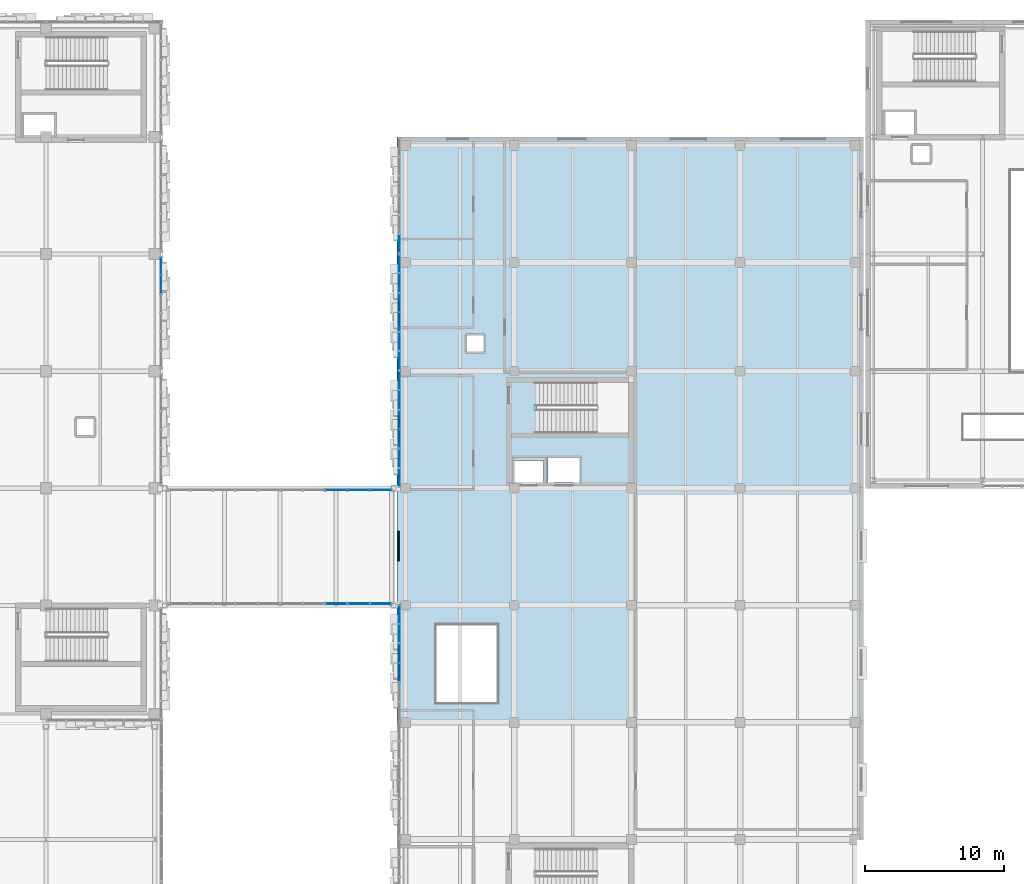
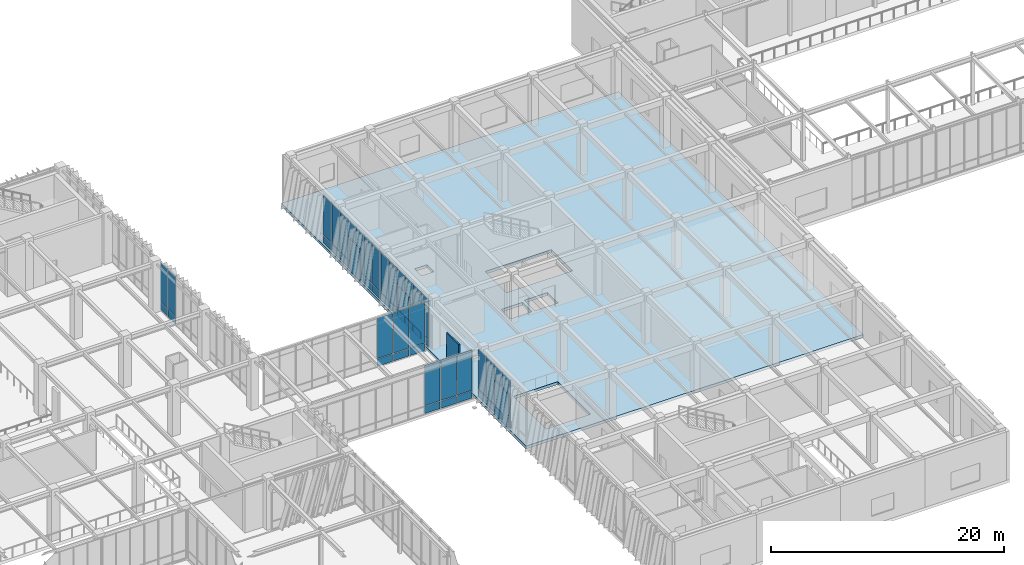
# One storey, part 96 of 139: 54 plates, 1 slab, 7 elements without a shape of their own.
"""IFC4 building model written with IfcOpenShell, lengths in metres."""

from ifc_helpers import new_model, si_unit, direction, frame, origin, origin_2d, place, context, subcontext, project, spatial, polyline, rectangle, outline, extrude, material, layer, layer_set, type_object, element, aggregate, save


model = new_model("IFC4")

# Units and contexts
model_context = context("Model", 3, precision=1e-05, world=origin(), true_north=direction((0.0, 1.0)))
body_context = subcontext(model_context, "Body", "Model", "MODEL_VIEW")
ifc_project = project(units=[si_unit("LENGTHUNIT", "METRE"), si_unit("AREAUNIT", "SQUARE_METRE"), si_unit("VOLUMEUNIT", "CUBIC_METRE"), si_unit("PLANEANGLEUNIT", "RADIAN"), si_unit("MASSUNIT", "GRAM", prefix="KILO")], contexts=[model_context])

# Site, building, storey
site_placement = place(None, origin())
site = spatial("IfcSite", under=ifc_project, at=site_placement, CompositionType="ELEMENT")
building_placement = place(site_placement, origin())
building = spatial("IfcBuilding", under=site, at=building_placement, Name="Zayran Congress Hotel", CompositionType="ELEMENT")
storey_placement = place(building_placement, frame((0.0, 0.0, 5.39990234375)))
storey = spatial("IfcBuildingStorey", under=building, at=storey_placement, Name="L01", CompositionType="ELEMENT", Elevation=5.39990234375)

# Slab
ifc_material_1 = material(Name="Concrete C32/40", Category="concrete")
ifc_layer_1 = layer(ifc_material_1, 0.300048828125)
ifc_layer_set_1 = layer_set([ifc_layer_1], Name="Concrete C32/40")
slab_type = type_object("IfcSlabType", Name="SL-FL-300", PredefinedType="FLOOR", material=ifc_layer_set_1)
slab_placement = place(storey_placement, frame((0.0, 0.0, -0.2998046875)))
element("IfcSlab", 1, at=slab_placement, inside=storey, type_object=slab_type, Name="SLB-V4-L01-020", PredefinedType="FLOOR", context=body_context, shape_type="SweptSolid", body=[
    extrude(outline(polyline([(109.199951171875, 67.60009765625), (142.64990234375, 67.60009765625), (142.64990234375, 109.60009765625), (109.199951171875, 109.60009765625), (109.199951171875, 67.60009765625)]), holes=[polyline([(119.239990234375, 88.360107421875), (125.800048828125, 88.360107421875), (125.800048828125, 92.0), (119.239990234375, 92.0), (119.239990234375, 88.360107421875)]), polyline([(117.60009765625, 84.800048828125), (119.699951171875, 84.800048828125), (119.699951171875, 86.39990234375), (117.60009765625, 86.39990234375), (117.60009765625, 84.800048828125)]), polyline([(120.0, 84.800048828125), (122.300048828125, 84.800048828125), (122.300048828125, 86.60009765625), (120.0, 86.60009765625), (120.0, 84.800048828125)]), polyline([(112.0, 69.0), (116.39990234375, 69.0), (116.39990234375, 74.60009765625), (112.0, 74.60009765625), (112.0, 69.0)]), polyline([(114.199951171875, 94.199951171875), (115.419921875, 94.199951171875), (115.419921875, 95.3798828125), (114.199951171875, 95.3798828125), (114.199951171875, 94.199951171875)])]), origin(), (0.0, 0.0, 1.0), 0.2998046875),
])

# Plates
ifc_material_2 = material(Name="Ajlun reconstituted limestone claustra", Category="masonry")
ifc_layer_2 = layer(ifc_material_2, 0.1201171875)
ifc_layer_set_2 = layer_set([ifc_layer_2], Name="Ajlun reconstituted limestone claustra")
plate_type_1 = type_object("IfcPlateType", Name="TP-CLS-05", PredefinedType="USERDEFINED", material=ifc_layer_set_2)
plate_1_placement = place(storey_placement, frame((109.280029296875, 71.885009765625, 0.0), z_axis=(0.0, 0.0, 1.0), x_axis=(0.0, 1.0, 0.0)))
element("IfcPlate", 2, at=plate_1_placement, inside=storey, type_object=plate_type_1, Name="Pierced Claustra Screen 20", ObjectType="CLAUSTRA SCREEN", PredefinedType="USERDEFINED", context=body_context, shape_type="SweptSolid", body=[
    extrude(rectangle(XDim=2.39990234375, YDim=0.1201171875, at=origin_2d()), origin(), (0.0, 0.0, 1.0), 3.60009765625),
])
ifc_layer_3 = layer(ifc_material_2, 0.1201171875)
ifc_layer_set_3 = layer_set([ifc_layer_3], Name="Ajlun reconstituted limestone claustra")
plate_type_2 = type_object("IfcPlateType", Name="TP-CLS-06", PredefinedType="USERDEFINED", material=ifc_layer_set_3)
plate_2_placement = place(storey_placement, frame((109.280029296875, 80.26611328125, 0.0), z_axis=(0.0, 0.0, 1.0), x_axis=(0.0, 1.0, 0.0)))
element("IfcPlate", 3, at=plate_2_placement, inside=storey, type_object=plate_type_2, Name="Pierced Claustra Screen 21", ObjectType="CLAUSTRA SCREEN", PredefinedType="USERDEFINED", context=body_context, shape_type="SweptSolid", body=[
    extrude(rectangle(XDim=2.10009765625, YDim=0.1201171875, at=origin_2d()), origin(), (0.0, 0.0, 1.0), 3.60009765625),
])
ifc_layer_4 = layer(ifc_material_2, 0.1201171875)
ifc_layer_set_4 = layer_set([ifc_layer_4], Name="Ajlun reconstituted limestone claustra")
plate_type_3 = type_object("IfcPlateType", Name="TP-CLS-07", PredefinedType="USERDEFINED", material=ifc_layer_set_4)
plate_3_placement = place(storey_placement, frame((109.280029296875, 88.64697265625, 0.000244140625), z_axis=(0.0, 0.0, 1.0), x_axis=(0.0, 1.0, 0.0)))
element("IfcPlate", 4, at=plate_3_placement, inside=storey, type_object=plate_type_3, Name="Pierced Claustra Screen 22", ObjectType="CLAUSTRA SCREEN", PredefinedType="USERDEFINED", context=body_context, shape_type="SweptSolid", body=[
    extrude(rectangle(XDim=1.89990234375, YDim=0.1201171875, at=origin_2d()), origin(), (0.0, 0.0, 1.0), 3.39990234375),
])
ifc_layer_5 = layer(ifc_material_2, 0.1201171875)
ifc_layer_set_5 = layer_set([ifc_layer_5], Name="Ajlun reconstituted limestone claustra")
plate_type_4 = type_object("IfcPlateType", Name="TP-CLS-08", PredefinedType="USERDEFINED", material=ifc_layer_set_5)
plate_4_placement = place(storey_placement, frame((109.280029296875, 97.028076171875, 0.000244140625), z_axis=(0.0, 0.0, 1.0), x_axis=(0.0, 1.0, 0.0)))
element("IfcPlate", 5, at=plate_4_placement, inside=storey, type_object=plate_type_4, Name="Pierced Claustra Screen 23", ObjectType="CLAUSTRA SCREEN", PredefinedType="USERDEFINED", context=body_context, shape_type="SweptSolid", body=[
    extrude(rectangle(XDim=1.699951171875, YDim=0.1201171875, at=origin_2d()), origin(), (0.0, 0.0, 1.0), 3.39990234375),
])

# Curtain wall, plates
ifc_material_3 = material(Name="Anodised aluminium and low-E insulated glass", Category="aluminium")
ifc_layer_6 = layer(ifc_material_3, 0.179931640625)
ifc_layer_set_6 = layer_set([ifc_layer_6], Name="Anodised aluminium and low-E insulated glass")
curtain_wall_type_1 = type_object("IfcCurtainWallType", Name="CW-V1E-L01-CW-42-8040-5080", PredefinedType="USERDEFINED", material=ifc_layer_set_6)
curtain_wall_1_placement = place(storey_placement, origin())
curtain_wall_1 = element("IfcCurtainWall", 6, at=curtain_wall_1_placement, inside=storey, type_object=curtain_wall_type_1, Name="CW-V1E-L01-3", ObjectType="CURTAIN WALL", PredefinedType="USERDEFINED")
ifc_layer_7 = layer(ifc_material_3, 0.028076171875)
ifc_layer_set_7 = layer_set([ifc_layer_7], Name="Anodised aluminium and low-E insulated glass")
plate_type_5 = type_object("IfcPlateType", Name="CWP-GL-1220-4150", PredefinedType="CURTAIN_PANEL", material=ifc_layer_set_7)
plate_5_placement = place(storey_placement, frame((92.25, 99.010009765625, 0.8701171875), z_axis=(0.0, 0.0, 1.0), x_axis=(0.0, 1.0, 0.0)))
plate_5 = element("IfcPlate", 7, at=plate_5_placement, type_object=plate_type_5, Name="CW-42 Glazed Panel 5", PredefinedType="CURTAIN_PANEL", context=body_context, shape_type="SweptSolid", body=[
    extrude(rectangle(XDim=1.260009765625, YDim=0.028076171875, at=origin_2d()), origin(), (0.0, 0.0, 1.0), 4.14990234375),
])
plate_6_placement = place(storey_placement, frame((92.25, 100.330078125, 0.8701171875), z_axis=(0.0, 0.0, 1.0), x_axis=(0.0, 1.0, 0.0)))
plate_6 = element("IfcPlate", 8, at=plate_6_placement, type_object=plate_type_5, Name="CW-42 Glazed Panel 6", PredefinedType="CURTAIN_PANEL", context=body_context, shape_type="SweptSolid", body=[
    extrude(rectangle(XDim=1.219970703125, YDim=0.028076171875, at=origin_2d()), origin(), (0.0, 0.0, 1.0), 4.14990234375),
])
ifc_material_4 = material(Name="Insulated warm bronze aluminium spandrel panel", Category="aluminium")
ifc_layer_8 = layer(ifc_material_4, 0.06005859375)
ifc_layer_set_8 = layer_set([ifc_layer_8], Name="Insulated warm bronze aluminium spandrel panel")
plate_type_6 = type_object("IfcPlateType", Name="CWP-SP-1220-750", PredefinedType="CURTAIN_PANEL", material=ifc_layer_set_8)
plate_7_placement = place(storey_placement, frame((92.25, 99.010009765625, 0.06005859375), z_axis=(0.0, 0.0, 1.0), x_axis=(0.0, 1.0, 0.0)))
plate_7 = element("IfcPlate", 9, at=plate_7_placement, type_object=plate_type_6, Name="CW-42 Spandrel Panel 5", PredefinedType="CURTAIN_PANEL", context=body_context, shape_type="SweptSolid", body=[
    extrude(rectangle(XDim=1.260009765625, YDim=0.06005859375, at=origin_2d()), origin(), (0.0, 0.0, 1.0), 0.75),
])
plate_8_placement = place(storey_placement, frame((92.25, 100.330078125, 0.06005859375), z_axis=(0.0, 0.0, 1.0), x_axis=(0.0, 1.0, 0.0)))
plate_8 = element("IfcPlate", 10, at=plate_8_placement, type_object=plate_type_6, Name="CW-42 Spandrel Panel 6", PredefinedType="CURTAIN_PANEL", context=body_context, shape_type="SweptSolid", body=[
    extrude(rectangle(XDim=1.219970703125, YDim=0.06005859375, at=origin_2d()), origin(), (0.0, 0.0, 1.0), 0.75),
])
aggregate(curtain_wall_1, [plate_7, plate_5, plate_8, plate_6])

ifc_layer_9 = layer(ifc_material_3, 0.179931640625)
ifc_layer_set_9 = layer_set([ifc_layer_9], Name="Anodised aluminium and low-E insulated glass")
curtain_wall_type_2 = type_object("IfcCurtainWallType", Name="CW-V4W-L01-CW-52-8376-5100", PredefinedType="USERDEFINED", material=ifc_layer_set_9)
curtain_wall_2_placement = place(storey_placement, origin())
curtain_wall_2 = element("IfcCurtainWall", 11, at=curtain_wall_2_placement, inside=storey, type_object=curtain_wall_type_2, Name="CW-V4W-L01-7", ObjectType="CURTAIN WALL", PredefinedType="USERDEFINED")
ifc_layer_10 = layer(ifc_material_3, 0.028076171875)
ifc_layer_set_10 = layer_set([ifc_layer_10], Name="Anodised aluminium and low-E insulated glass")
plate_type_7 = type_object("IfcPlateType", Name="CWP-GL-1276-4170", PredefinedType="CURTAIN_PANEL", material=ifc_layer_set_10)
plate_9_placement = place(storey_placement, frame((109.35009765625, 101.94189453125, 0.8701171875), z_axis=(0.0, 0.0, 1.0), x_axis=(0.0, 1.0, 0.0)))
plate_9 = element("IfcPlate", 12, at=plate_9_placement, type_object=plate_type_7, Name="CW-52 Glazed Panel 6", PredefinedType="CURTAIN_PANEL", context=body_context, shape_type="SweptSolid", body=[
    extrude(rectangle(XDim=1.27587890625, YDim=0.028076171875, at=origin_2d()), origin(), (0.0, 0.0, 1.0), 4.169921875),
])
ifc_layer_11 = layer(ifc_material_4, 0.06005859375)
ifc_layer_set_11 = layer_set([ifc_layer_11], Name="Insulated warm bronze aluminium spandrel panel")
plate_type_8 = type_object("IfcPlateType", Name="CWP-SP-1276-750", PredefinedType="CURTAIN_PANEL", material=ifc_layer_set_11)
plate_10_placement = place(storey_placement, frame((109.35009765625, 101.94189453125, 0.06005859375), z_axis=(0.0, 0.0, 1.0), x_axis=(0.0, 1.0, 0.0)))
plate_10 = element("IfcPlate", 13, at=plate_10_placement, type_object=plate_type_8, Name="CW-52 Spandrel Panel 6", PredefinedType="CURTAIN_PANEL", context=body_context, shape_type="SweptSolid", body=[
    extrude(rectangle(XDim=1.27587890625, YDim=0.06005859375, at=origin_2d()), origin(), (0.0, 0.0, 1.0), 0.75),
])
aggregate(curtain_wall_2, [plate_10, plate_9])

ifc_layer_12 = layer(ifc_material_3, 0.179931640625)
ifc_layer_set_12 = layer_set([ifc_layer_12], Name="Anodised aluminium and low-E insulated glass")
curtain_wall_type_3 = type_object("IfcCurtainWallType", Name="CW-V4W-L01-CW-51-8371-5100", PredefinedType="USERDEFINED", material=ifc_layer_set_12)
curtain_wall_3_placement = place(storey_placement, origin())
curtain_wall_3 = element("IfcCurtainWall", 14, at=curtain_wall_3_placement, inside=storey, type_object=curtain_wall_type_3, Name="CW-V4W-L01-3", ObjectType="CURTAIN WALL", PredefinedType="USERDEFINED")
ifc_layer_13 = layer(ifc_material_3, 0.028076171875)
ifc_layer_set_13 = layer_set([ifc_layer_13], Name="Anodised aluminium and low-E insulated glass")
plate_type_9 = type_object("IfcPlateType", Name="CWP-GL-1275-4170", PredefinedType="CURTAIN_PANEL", material=ifc_layer_set_13)
plate_11_placement = place(storey_placement, frame((109.35009765625, 75.352294921875, 0.8701171875), z_axis=(0.0, 0.0, 1.0), x_axis=(0.0, 1.0, 0.0)))
plate_11 = element("IfcPlate", 15, at=plate_11_placement, type_object=plate_type_9, Name="CW-51 Glazed Panel 1", PredefinedType="CURTAIN_PANEL", context=body_context, shape_type="SweptSolid", body=[
    extrude(rectangle(XDim=1.275146484375, YDim=0.028076171875, at=origin_2d()), origin(), (0.0, 0.0, 1.0), 4.169921875),
])
plate_12_placement = place(storey_placement, frame((109.35009765625, 73.977294921875, 0.8701171875), z_axis=(0.0, 0.0, 1.0), x_axis=(0.0, 1.0, 0.0)))
plate_12 = element("IfcPlate", 16, at=plate_12_placement, type_object=plate_type_9, Name="CW-51 Glazed Panel 2", PredefinedType="CURTAIN_PANEL", context=body_context, shape_type="SweptSolid", body=[
    extrude(rectangle(XDim=1.315185546875, YDim=0.028076171875, at=origin_2d()), origin(), (0.0, 0.0, 1.0), 4.169921875),
])
plate_13_placement = place(storey_placement, frame((109.35009765625, 72.58203125, 0.8701171875), z_axis=(0.0, 0.0, 1.0), x_axis=(0.0, 1.0, 0.0)))
plate_13 = element("IfcPlate", 17, at=plate_13_placement, type_object=plate_type_9, Name="CW-51 Glazed Panel 3", PredefinedType="CURTAIN_PANEL", context=body_context, shape_type="SweptSolid", body=[
    extrude(rectangle(XDim=1.315185546875, YDim=0.028076171875, at=origin_2d()), origin(), (0.0, 0.0, 1.0), 4.169921875),
])
plate_14_placement = place(storey_placement, frame((109.35009765625, 71.18701171875, 0.8701171875), z_axis=(0.0, 0.0, 1.0), x_axis=(0.0, 1.0, 0.0)))
plate_14 = element("IfcPlate", 18, at=plate_14_placement, type_object=plate_type_9, Name="CW-51 Glazed Panel 4", PredefinedType="CURTAIN_PANEL", context=body_context, shape_type="SweptSolid", body=[
    extrude(rectangle(XDim=1.315185546875, YDim=0.028076171875, at=origin_2d()), origin(), (0.0, 0.0, 1.0), 4.169921875),
])

ifc_layer_14 = layer(ifc_material_3, 0.179931640625)
ifc_layer_set_14 = layer_set([ifc_layer_14], Name="Anodised aluminium and low-E insulated glass")
curtain_wall_type_4 = type_object("IfcCurtainWallType", Name="CW-V4W-L01-CW-53-8371-5100", PredefinedType="USERDEFINED", material=ifc_layer_set_14)
curtain_wall_4_placement = place(storey_placement, origin())
curtain_wall_4 = element("IfcCurtainWall", 19, at=curtain_wall_4_placement, inside=storey, type_object=curtain_wall_type_4, Name="CW-V4W-L01-5", ObjectType="CURTAIN WALL", PredefinedType="USERDEFINED")
plate_15_placement = place(storey_placement, frame((109.35009765625, 92.114501953125, 0.8701171875), z_axis=(0.0, 0.0, 1.0), x_axis=(0.0, 1.0, 0.0)))
plate_15 = element("IfcPlate", 20, at=plate_15_placement, type_object=plate_type_9, Name="CW-53 Glazed Panel 1", PredefinedType="CURTAIN_PANEL", context=body_context, shape_type="SweptSolid", body=[
    extrude(rectangle(XDim=1.275146484375, YDim=0.028076171875, at=origin_2d()), origin(), (0.0, 0.0, 1.0), 4.169921875),
])
plate_16_placement = place(storey_placement, frame((109.35009765625, 90.7392578125, 0.8701171875), z_axis=(0.0, 0.0, 1.0), x_axis=(0.0, 1.0, 0.0)))
plate_16 = element("IfcPlate", 21, at=plate_16_placement, type_object=plate_type_9, Name="CW-53 Glazed Panel 2", PredefinedType="CURTAIN_PANEL", context=body_context, shape_type="SweptSolid", body=[
    extrude(rectangle(XDim=1.315185546875, YDim=0.028076171875, at=origin_2d()), origin(), (0.0, 0.0, 1.0), 4.169921875),
])
plate_17_placement = place(storey_placement, frame((109.35009765625, 89.343994140625, 0.8701171875), z_axis=(0.0, 0.0, 1.0), x_axis=(0.0, 1.0, 0.0)))
plate_17 = element("IfcPlate", 22, at=plate_17_placement, type_object=plate_type_9, Name="CW-53 Glazed Panel 3", PredefinedType="CURTAIN_PANEL", context=body_context, shape_type="SweptSolid", body=[
    extrude(rectangle(XDim=1.315185546875, YDim=0.028076171875, at=origin_2d()), origin(), (0.0, 0.0, 1.0), 4.169921875),
])
plate_18_placement = place(storey_placement, frame((109.35009765625, 87.948974609375, 0.8701171875), z_axis=(0.0, 0.0, 1.0), x_axis=(0.0, 1.0, 0.0)))
plate_18 = element("IfcPlate", 23, at=plate_18_placement, type_object=plate_type_9, Name="CW-53 Glazed Panel 4", PredefinedType="CURTAIN_PANEL", context=body_context, shape_type="SweptSolid", body=[
    extrude(rectangle(XDim=1.315185546875, YDim=0.028076171875, at=origin_2d()), origin(), (0.0, 0.0, 1.0), 4.169921875),
])
plate_19_placement = place(storey_placement, frame((109.35009765625, 86.5537109375, 0.8701171875), z_axis=(0.0, 0.0, 1.0), x_axis=(0.0, 1.0, 0.0)))
plate_19 = element("IfcPlate", 24, at=plate_19_placement, type_object=plate_type_9, Name="CW-53 Glazed Panel 5", PredefinedType="CURTAIN_PANEL", context=body_context, shape_type="SweptSolid", body=[
    extrude(rectangle(XDim=1.315185546875, YDim=0.028076171875, at=origin_2d()), origin(), (0.0, 0.0, 1.0), 4.169921875),
])
plate_20_placement = place(storey_placement, frame((109.35009765625, 85.1787109375, 0.8701171875), z_axis=(0.0, 0.0, 1.0), x_axis=(0.0, 1.0, 0.0)))
plate_20 = element("IfcPlate", 25, at=plate_20_placement, type_object=plate_type_9, Name="CW-53 Glazed Panel 6", PredefinedType="CURTAIN_PANEL", context=body_context, shape_type="SweptSolid", body=[
    extrude(rectangle(XDim=1.275146484375, YDim=0.028076171875, at=origin_2d()), origin(), (0.0, 0.0, 1.0), 4.169921875),
])

ifc_layer_15 = layer(ifc_material_3, 0.179931640625)
ifc_layer_set_15 = layer_set([ifc_layer_15], Name="Anodised aluminium and low-E insulated glass")
curtain_wall_type_5 = type_object("IfcCurtainWallType", Name="CW-V4W-L01-CW-51-8372-5100", PredefinedType="USERDEFINED", material=ifc_layer_set_15)
curtain_wall_5_placement = place(storey_placement, origin())
curtain_wall_5 = element("IfcCurtainWall", 26, at=curtain_wall_5_placement, inside=storey, type_object=curtain_wall_type_5, Name="CW-V4W-L01-6", ObjectType="CURTAIN WALL", PredefinedType="USERDEFINED")
plate_21_placement = place(storey_placement, frame((109.35009765625, 100.496337890625, 0.8701171875), z_axis=(0.0, 0.0, 1.0), x_axis=(0.0, 1.0, 0.0)))
plate_21 = element("IfcPlate", 27, at=plate_21_placement, type_object=plate_type_9, Name="CW-51 Glazed Panel 1", PredefinedType="CURTAIN_PANEL", context=body_context, shape_type="SweptSolid", body=[
    extrude(rectangle(XDim=1.275390625, YDim=0.028076171875, at=origin_2d()), origin(), (0.0, 0.0, 1.0), 4.169921875),
])
plate_22_placement = place(storey_placement, frame((109.35009765625, 99.12109375, 0.8701171875), z_axis=(0.0, 0.0, 1.0), x_axis=(0.0, 1.0, 0.0)))
plate_22 = element("IfcPlate", 28, at=plate_22_placement, type_object=plate_type_9, Name="CW-51 Glazed Panel 2", PredefinedType="CURTAIN_PANEL", context=body_context, shape_type="SweptSolid", body=[
    extrude(rectangle(XDim=1.315185546875, YDim=0.028076171875, at=origin_2d()), origin(), (0.0, 0.0, 1.0), 4.169921875),
])
plate_23_placement = place(storey_placement, frame((109.35009765625, 97.7255859375, 0.8701171875), z_axis=(0.0, 0.0, 1.0), x_axis=(0.0, 1.0, 0.0)))
plate_23 = element("IfcPlate", 29, at=plate_23_placement, type_object=plate_type_9, Name="CW-51 Glazed Panel 3", PredefinedType="CURTAIN_PANEL", context=body_context, shape_type="SweptSolid", body=[
    extrude(rectangle(XDim=1.315185546875, YDim=0.028076171875, at=origin_2d()), origin(), (0.0, 0.0, 1.0), 4.169921875),
])
plate_24_placement = place(storey_placement, frame((109.35009765625, 96.330322265625, 0.8701171875), z_axis=(0.0, 0.0, 1.0), x_axis=(0.0, 1.0, 0.0)))
plate_24 = element("IfcPlate", 30, at=plate_24_placement, type_object=plate_type_9, Name="CW-51 Glazed Panel 4", PredefinedType="CURTAIN_PANEL", context=body_context, shape_type="SweptSolid", body=[
    extrude(rectangle(XDim=1.315185546875, YDim=0.028076171875, at=origin_2d()), origin(), (0.0, 0.0, 1.0), 4.169921875),
])
plate_25_placement = place(storey_placement, frame((109.35009765625, 94.93505859375, 0.8701171875), z_axis=(0.0, 0.0, 1.0), x_axis=(0.0, 1.0, 0.0)))
plate_25 = element("IfcPlate", 31, at=plate_25_placement, type_object=plate_type_9, Name="CW-51 Glazed Panel 5", PredefinedType="CURTAIN_PANEL", context=body_context, shape_type="SweptSolid", body=[
    extrude(rectangle(XDim=1.315185546875, YDim=0.028076171875, at=origin_2d()), origin(), (0.0, 0.0, 1.0), 4.169921875),
])
plate_26_placement = place(storey_placement, frame((109.35009765625, 93.559814453125, 0.8701171875), z_axis=(0.0, 0.0, 1.0), x_axis=(0.0, 1.0, 0.0)))
plate_26 = element("IfcPlate", 32, at=plate_26_placement, type_object=plate_type_9, Name="CW-51 Glazed Panel 6", PredefinedType="CURTAIN_PANEL", context=body_context, shape_type="SweptSolid", body=[
    extrude(rectangle(XDim=1.275390625, YDim=0.028076171875, at=origin_2d()), origin(), (0.0, 0.0, 1.0), 4.169921875),
])

# Plate
ifc_layer_16 = layer(ifc_material_4, 0.06005859375)
ifc_layer_set_16 = layer_set([ifc_layer_16], Name="Insulated warm bronze aluminium spandrel panel")
plate_type_10 = type_object("IfcPlateType", Name="CWP-SP-1275-750", PredefinedType="CURTAIN_PANEL", material=ifc_layer_set_16)
plate_27_placement = place(storey_placement, frame((109.35009765625, 75.352294921875, 0.06005859375), z_axis=(0.0, 0.0, 1.0), x_axis=(0.0, 1.0, 0.0)))
plate_27 = element("IfcPlate", 33, at=plate_27_placement, type_object=plate_type_10, Name="CW-51 Spandrel Panel 1", PredefinedType="CURTAIN_PANEL", context=body_context, shape_type="SweptSolid", body=[
    extrude(rectangle(XDim=1.275146484375, YDim=0.06005859375, at=origin_2d()), origin(), (0.0, 0.0, 1.0), 0.75),
])

plate_28_placement = place(storey_placement, frame((109.35009765625, 73.977294921875, 0.06005859375), z_axis=(0.0, 0.0, 1.0), x_axis=(0.0, 1.0, 0.0)))
plate_28 = element("IfcPlate", 34, at=plate_28_placement, type_object=plate_type_10, Name="CW-51 Spandrel Panel 2", PredefinedType="CURTAIN_PANEL", context=body_context, shape_type="SweptSolid", body=[
    extrude(rectangle(XDim=1.315185546875, YDim=0.06005859375, at=origin_2d()), origin(), (0.0, 0.0, 1.0), 0.75),
])

plate_29_placement = place(storey_placement, frame((109.35009765625, 72.58203125, 0.06005859375), z_axis=(0.0, 0.0, 1.0), x_axis=(0.0, 1.0, 0.0)))
plate_29 = element("IfcPlate", 35, at=plate_29_placement, type_object=plate_type_10, Name="CW-51 Spandrel Panel 3", PredefinedType="CURTAIN_PANEL", context=body_context, shape_type="SweptSolid", body=[
    extrude(rectangle(XDim=1.315185546875, YDim=0.06005859375, at=origin_2d()), origin(), (0.0, 0.0, 1.0), 0.75),
])

plate_30_placement = place(storey_placement, frame((109.35009765625, 71.18701171875, 0.06005859375), z_axis=(0.0, 0.0, 1.0), x_axis=(0.0, 1.0, 0.0)))
plate_30 = element("IfcPlate", 36, at=plate_30_placement, type_object=plate_type_10, Name="CW-51 Spandrel Panel 4", PredefinedType="CURTAIN_PANEL", context=body_context, shape_type="SweptSolid", body=[
    extrude(rectangle(XDim=1.315185546875, YDim=0.06005859375, at=origin_2d()), origin(), (0.0, 0.0, 1.0), 0.75),
])

aggregate(curtain_wall_3, [plate_27, plate_11, plate_28, plate_12, plate_29, plate_13, plate_30, plate_14])

plate_31_placement = place(storey_placement, frame((109.35009765625, 92.114501953125, 0.06005859375), z_axis=(0.0, 0.0, 1.0), x_axis=(0.0, 1.0, 0.0)))
plate_31 = element("IfcPlate", 37, at=plate_31_placement, type_object=plate_type_10, Name="CW-53 Spandrel Panel 1", PredefinedType="CURTAIN_PANEL", context=body_context, shape_type="SweptSolid", body=[
    extrude(rectangle(XDim=1.275146484375, YDim=0.06005859375, at=origin_2d()), origin(), (0.0, 0.0, 1.0), 0.75),
])

plate_32_placement = place(storey_placement, frame((109.35009765625, 90.7392578125, 0.06005859375), z_axis=(0.0, 0.0, 1.0), x_axis=(0.0, 1.0, 0.0)))
plate_32 = element("IfcPlate", 38, at=plate_32_placement, type_object=plate_type_10, Name="CW-53 Spandrel Panel 2", PredefinedType="CURTAIN_PANEL", context=body_context, shape_type="SweptSolid", body=[
    extrude(rectangle(XDim=1.315185546875, YDim=0.06005859375, at=origin_2d()), origin(), (0.0, 0.0, 1.0), 0.75),
])

plate_33_placement = place(storey_placement, frame((109.35009765625, 89.343994140625, 0.06005859375), z_axis=(0.0, 0.0, 1.0), x_axis=(0.0, 1.0, 0.0)))
plate_33 = element("IfcPlate", 39, at=plate_33_placement, type_object=plate_type_10, Name="CW-53 Spandrel Panel 3", PredefinedType="CURTAIN_PANEL", context=body_context, shape_type="SweptSolid", body=[
    extrude(rectangle(XDim=1.315185546875, YDim=0.06005859375, at=origin_2d()), origin(), (0.0, 0.0, 1.0), 0.75),
])

plate_34_placement = place(storey_placement, frame((109.35009765625, 87.948974609375, 0.06005859375), z_axis=(0.0, 0.0, 1.0), x_axis=(0.0, 1.0, 0.0)))
plate_34 = element("IfcPlate", 40, at=plate_34_placement, type_object=plate_type_10, Name="CW-53 Spandrel Panel 4", PredefinedType="CURTAIN_PANEL", context=body_context, shape_type="SweptSolid", body=[
    extrude(rectangle(XDim=1.315185546875, YDim=0.06005859375, at=origin_2d()), origin(), (0.0, 0.0, 1.0), 0.75),
])

plate_35_placement = place(storey_placement, frame((109.35009765625, 86.5537109375, 0.06005859375), z_axis=(0.0, 0.0, 1.0), x_axis=(0.0, 1.0, 0.0)))
plate_35 = element("IfcPlate", 41, at=plate_35_placement, type_object=plate_type_10, Name="CW-53 Spandrel Panel 5", PredefinedType="CURTAIN_PANEL", context=body_context, shape_type="SweptSolid", body=[
    extrude(rectangle(XDim=1.315185546875, YDim=0.06005859375, at=origin_2d()), origin(), (0.0, 0.0, 1.0), 0.75),
])

plate_36_placement = place(storey_placement, frame((109.35009765625, 85.1787109375, 0.06005859375), z_axis=(0.0, 0.0, 1.0), x_axis=(0.0, 1.0, 0.0)))
plate_36 = element("IfcPlate", 42, at=plate_36_placement, type_object=plate_type_10, Name="CW-53 Spandrel Panel 6", PredefinedType="CURTAIN_PANEL", context=body_context, shape_type="SweptSolid", body=[
    extrude(rectangle(XDim=1.275146484375, YDim=0.06005859375, at=origin_2d()), origin(), (0.0, 0.0, 1.0), 0.75),
])

aggregate(curtain_wall_4, [plate_31, plate_15, plate_32, plate_16, plate_33, plate_17, plate_34, plate_18, plate_35, plate_19, plate_36, plate_20])

plate_37_placement = place(storey_placement, frame((109.35009765625, 100.496337890625, 0.06005859375), z_axis=(0.0, 0.0, 1.0), x_axis=(0.0, 1.0, 0.0)))
plate_37 = element("IfcPlate", 43, at=plate_37_placement, type_object=plate_type_10, Name="CW-51 Spandrel Panel 1", PredefinedType="CURTAIN_PANEL", context=body_context, shape_type="SweptSolid", body=[
    extrude(rectangle(XDim=1.275390625, YDim=0.06005859375, at=origin_2d()), origin(), (0.0, 0.0, 1.0), 0.75),
])

plate_38_placement = place(storey_placement, frame((109.35009765625, 99.12109375, 0.06005859375), z_axis=(0.0, 0.0, 1.0), x_axis=(0.0, 1.0, 0.0)))
plate_38 = element("IfcPlate", 44, at=plate_38_placement, type_object=plate_type_10, Name="CW-51 Spandrel Panel 2", PredefinedType="CURTAIN_PANEL", context=body_context, shape_type="SweptSolid", body=[
    extrude(rectangle(XDim=1.315185546875, YDim=0.06005859375, at=origin_2d()), origin(), (0.0, 0.0, 1.0), 0.75),
])

plate_39_placement = place(storey_placement, frame((109.35009765625, 97.7255859375, 0.06005859375), z_axis=(0.0, 0.0, 1.0), x_axis=(0.0, 1.0, 0.0)))
plate_39 = element("IfcPlate", 45, at=plate_39_placement, type_object=plate_type_10, Name="CW-51 Spandrel Panel 3", PredefinedType="CURTAIN_PANEL", context=body_context, shape_type="SweptSolid", body=[
    extrude(rectangle(XDim=1.315185546875, YDim=0.06005859375, at=origin_2d()), origin(), (0.0, 0.0, 1.0), 0.75),
])

plate_40_placement = place(storey_placement, frame((109.35009765625, 96.330322265625, 0.06005859375), z_axis=(0.0, 0.0, 1.0), x_axis=(0.0, 1.0, 0.0)))
plate_40 = element("IfcPlate", 46, at=plate_40_placement, type_object=plate_type_10, Name="CW-51 Spandrel Panel 4", PredefinedType="CURTAIN_PANEL", context=body_context, shape_type="SweptSolid", body=[
    extrude(rectangle(XDim=1.315185546875, YDim=0.06005859375, at=origin_2d()), origin(), (0.0, 0.0, 1.0), 0.75),
])

plate_41_placement = place(storey_placement, frame((109.35009765625, 94.93505859375, 0.06005859375), z_axis=(0.0, 0.0, 1.0), x_axis=(0.0, 1.0, 0.0)))
plate_41 = element("IfcPlate", 47, at=plate_41_placement, type_object=plate_type_10, Name="CW-51 Spandrel Panel 5", PredefinedType="CURTAIN_PANEL", context=body_context, shape_type="SweptSolid", body=[
    extrude(rectangle(XDim=1.315185546875, YDim=0.06005859375, at=origin_2d()), origin(), (0.0, 0.0, 1.0), 0.75),
])

plate_42_placement = place(storey_placement, frame((109.35009765625, 93.559814453125, 0.06005859375), z_axis=(0.0, 0.0, 1.0), x_axis=(0.0, 1.0, 0.0)))
plate_42 = element("IfcPlate", 48, at=plate_42_placement, type_object=plate_type_10, Name="CW-51 Spandrel Panel 6", PredefinedType="CURTAIN_PANEL", context=body_context, shape_type="SweptSolid", body=[
    extrude(rectangle(XDim=1.275390625, YDim=0.06005859375, at=origin_2d()), origin(), (0.0, 0.0, 1.0), 0.75),
])

aggregate(curtain_wall_5, [plate_37, plate_21, plate_38, plate_22, plate_39, plate_23, plate_40, plate_24, plate_41, plate_25, plate_42, plate_26])

# Curtain wall, plates
ifc_layer_17 = layer(ifc_material_3, 0.179931640625)
ifc_layer_set_17 = layer_set([ifc_layer_17], Name="Anodised aluminium and low-E insulated glass")
curtain_wall_type_6 = type_object("IfcCurtainWallType", Name="CW-BR1-L01-CW-BR1-16100-5150", PredefinedType="USERDEFINED", material=ifc_layer_set_17)
curtain_wall_6_placement = place(storey_placement, origin())
curtain_wall_6 = element("IfcCurtainWall", 49, at=curtain_wall_6_placement, inside=storey, type_object=curtain_wall_type_6, Name="CW-BR1S-L01", ObjectType="CURTAIN WALL", PredefinedType="USERDEFINED")
ifc_layer_18 = layer(ifc_material_3, 0.028076171875)
ifc_layer_set_18 = layer_set([ifc_layer_18], Name="Anodised aluminium and low-E insulated glass")
plate_type_11 = type_object("IfcPlateType", Name="CWP-GL-1490-4220", PredefinedType="CURTAIN_PANEL", material=ifc_layer_set_18)
plate_43_placement = place(storey_placement, frame((104.824951171875, 76.1201171875, 0.8701171875), z_axis=(0.0, 0.0, 1.0), x_axis=(1.0, 0.0, 0.0)))
plate_43 = element("IfcPlate", 50, at=plate_43_placement, type_object=plate_type_11, Name="CW-BR1 Glazed Panel 8", PredefinedType="CURTAIN_PANEL", context=body_context, shape_type="SweptSolid", body=[
    extrude(rectangle(XDim=1.530029296875, YDim=0.028076171875, at=origin_2d()), origin(), (0.0, 0.0, 1.0), 4.219970703125),
])
plate_44_placement = place(storey_placement, frame((106.43505859375, 76.1201171875, 0.8701171875), z_axis=(0.0, 0.0, 1.0), x_axis=(1.0, 0.0, 0.0)))
plate_44 = element("IfcPlate", 51, at=plate_44_placement, type_object=plate_type_11, Name="CW-BR1 Glazed Panel 9", PredefinedType="CURTAIN_PANEL", context=body_context, shape_type="SweptSolid", body=[
    extrude(rectangle(XDim=1.530029296875, YDim=0.028076171875, at=origin_2d()), origin(), (0.0, 0.0, 1.0), 4.219970703125),
])
plate_45_placement = place(storey_placement, frame((108.02490234375, 76.1201171875, 0.8701171875), z_axis=(0.0, 0.0, 1.0), x_axis=(1.0, 0.0, 0.0)))
plate_45 = element("IfcPlate", 52, at=plate_45_placement, type_object=plate_type_11, Name="CW-BR1 Glazed Panel 10", PredefinedType="CURTAIN_PANEL", context=body_context, shape_type="SweptSolid", body=[
    extrude(rectangle(XDim=1.489990234375, YDim=0.028076171875, at=origin_2d()), origin(), (0.0, 0.0, 1.0), 4.219970703125),
])

curtain_wall_7_placement = place(storey_placement, origin())
curtain_wall_7 = element("IfcCurtainWall", 53, at=curtain_wall_7_placement, inside=storey, type_object=curtain_wall_type_6, Name="CW-BR1N-L01", ObjectType="CURTAIN WALL", PredefinedType="USERDEFINED")
plate_46_placement = place(storey_placement, frame((108.02490234375, 84.280029296875, 0.8701171875), z_axis=(0.0, 0.0, 1.0), x_axis=(1.0, 0.0, 0.0)))
plate_46 = element("IfcPlate", 54, at=plate_46_placement, type_object=plate_type_11, Name="CW-BR1 Glazed Panel 1", PredefinedType="CURTAIN_PANEL", context=body_context, shape_type="SweptSolid", body=[
    extrude(rectangle(XDim=1.489990234375, YDim=0.028076171875, at=origin_2d()), origin(), (0.0, 0.0, 1.0), 4.219970703125),
])
plate_47_placement = place(storey_placement, frame((106.43505859375, 84.280029296875, 0.8701171875), z_axis=(0.0, 0.0, 1.0), x_axis=(1.0, 0.0, 0.0)))
plate_47 = element("IfcPlate", 55, at=plate_47_placement, type_object=plate_type_11, Name="CW-BR1 Glazed Panel 2", PredefinedType="CURTAIN_PANEL", context=body_context, shape_type="SweptSolid", body=[
    extrude(rectangle(XDim=1.530029296875, YDim=0.028076171875, at=origin_2d()), origin(), (0.0, 0.0, 1.0), 4.219970703125),
])
plate_48_placement = place(storey_placement, frame((104.824951171875, 84.280029296875, 0.8701171875), z_axis=(0.0, 0.0, 1.0), x_axis=(1.0, 0.0, 0.0)))
plate_48 = element("IfcPlate", 56, at=plate_48_placement, type_object=plate_type_11, Name="CW-BR1 Glazed Panel 3", PredefinedType="CURTAIN_PANEL", context=body_context, shape_type="SweptSolid", body=[
    extrude(rectangle(XDim=1.530029296875, YDim=0.028076171875, at=origin_2d()), origin(), (0.0, 0.0, 1.0), 4.219970703125),
])

# Plate
ifc_layer_19 = layer(ifc_material_4, 0.06005859375)
ifc_layer_set_19 = layer_set([ifc_layer_19], Name="Insulated warm bronze aluminium spandrel panel")
plate_type_12 = type_object("IfcPlateType", Name="CWP-SP-1490-750", PredefinedType="CURTAIN_PANEL", material=ifc_layer_set_19)
plate_49_placement = place(storey_placement, frame((104.824951171875, 76.1201171875, 0.06005859375), z_axis=(0.0, 0.0, 1.0), x_axis=(1.0, 0.0, 0.0)))
plate_49 = element("IfcPlate", 57, at=plate_49_placement, type_object=plate_type_12, Name="CW-BR1 Spandrel Panel 8", PredefinedType="CURTAIN_PANEL", context=body_context, shape_type="SweptSolid", body=[
    extrude(rectangle(XDim=1.530029296875, YDim=0.06005859375, at=origin_2d()), origin(), (0.0, 0.0, 1.0), 0.75),
])

plate_50_placement = place(storey_placement, frame((106.43505859375, 76.1201171875, 0.06005859375), z_axis=(0.0, 0.0, 1.0), x_axis=(1.0, 0.0, 0.0)))
plate_50 = element("IfcPlate", 58, at=plate_50_placement, type_object=plate_type_12, Name="CW-BR1 Spandrel Panel 9", PredefinedType="CURTAIN_PANEL", context=body_context, shape_type="SweptSolid", body=[
    extrude(rectangle(XDim=1.530029296875, YDim=0.06005859375, at=origin_2d()), origin(), (0.0, 0.0, 1.0), 0.75),
])

plate_51_placement = place(storey_placement, frame((108.02490234375, 76.1201171875, 0.06005859375), z_axis=(0.0, 0.0, 1.0), x_axis=(1.0, 0.0, 0.0)))
plate_51 = element("IfcPlate", 59, at=plate_51_placement, type_object=plate_type_12, Name="CW-BR1 Spandrel Panel 10", PredefinedType="CURTAIN_PANEL", context=body_context, shape_type="SweptSolid", body=[
    extrude(rectangle(XDim=1.489990234375, YDim=0.06005859375, at=origin_2d()), origin(), (0.0, 0.0, 1.0), 0.75),
])

aggregate(curtain_wall_6, [plate_49, plate_43, plate_50, plate_44, plate_51, plate_45])

plate_52_placement = place(storey_placement, frame((108.02490234375, 84.280029296875, 0.06005859375), z_axis=(0.0, 0.0, 1.0), x_axis=(1.0, 0.0, 0.0)))
plate_52 = element("IfcPlate", 60, at=plate_52_placement, type_object=plate_type_12, Name="CW-BR1 Spandrel Panel 1", PredefinedType="CURTAIN_PANEL", context=body_context, shape_type="SweptSolid", body=[
    extrude(rectangle(XDim=1.489990234375, YDim=0.06005859375, at=origin_2d()), origin(), (0.0, 0.0, 1.0), 0.75),
])

plate_53_placement = place(storey_placement, frame((106.43505859375, 84.280029296875, 0.06005859375), z_axis=(0.0, 0.0, 1.0), x_axis=(1.0, 0.0, 0.0)))
plate_53 = element("IfcPlate", 61, at=plate_53_placement, type_object=plate_type_12, Name="CW-BR1 Spandrel Panel 2", PredefinedType="CURTAIN_PANEL", context=body_context, shape_type="SweptSolid", body=[
    extrude(rectangle(XDim=1.530029296875, YDim=0.06005859375, at=origin_2d()), origin(), (0.0, 0.0, 1.0), 0.75),
])

plate_54_placement = place(storey_placement, frame((104.824951171875, 84.280029296875, 0.06005859375), z_axis=(0.0, 0.0, 1.0), x_axis=(1.0, 0.0, 0.0)))
plate_54 = element("IfcPlate", 62, at=plate_54_placement, type_object=plate_type_12, Name="CW-BR1 Spandrel Panel 3", PredefinedType="CURTAIN_PANEL", context=body_context, shape_type="SweptSolid", body=[
    extrude(rectangle(XDim=1.530029296875, YDim=0.06005859375, at=origin_2d()), origin(), (0.0, 0.0, 1.0), 0.75),
])

aggregate(curtain_wall_7, [plate_52, plate_46, plate_53, plate_47, plate_54, plate_48])

save(model, "model.ifc")
